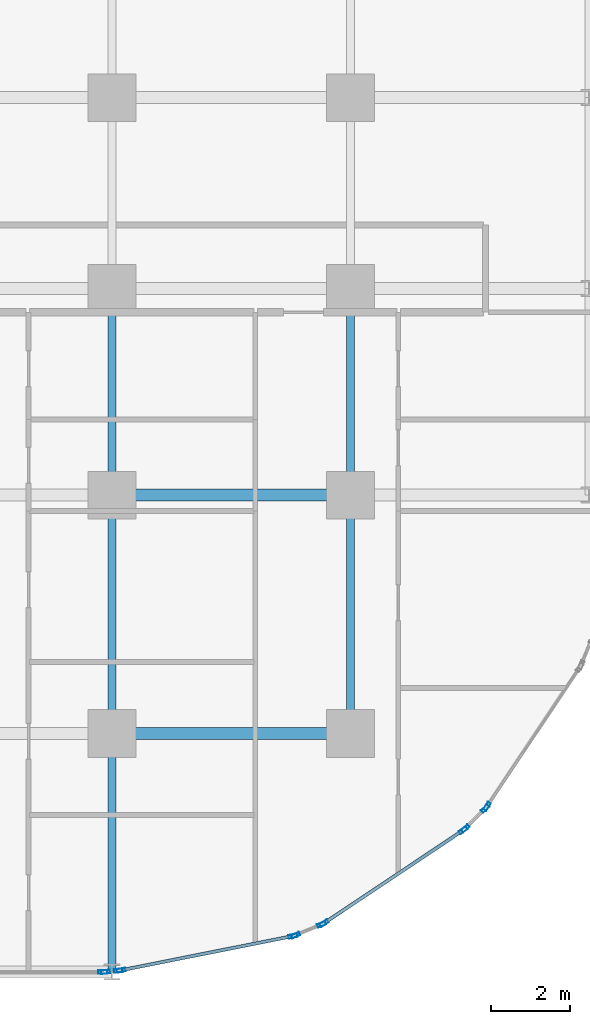
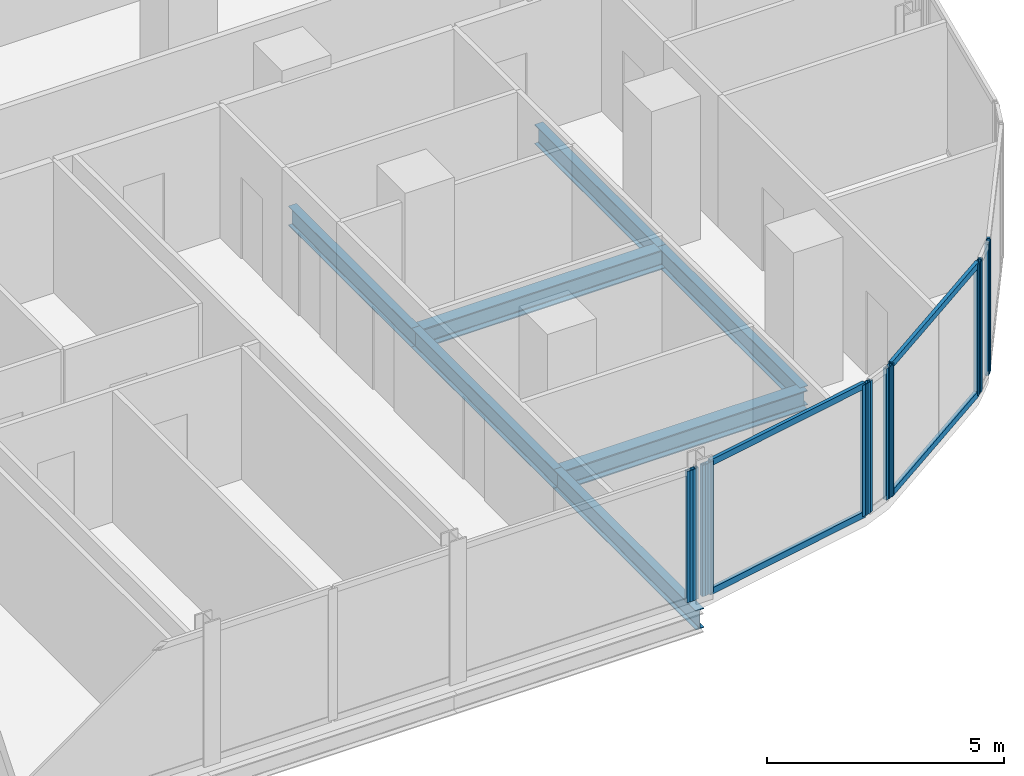
# One storey, part 10 of 33: 16 members, 7 beams, 7 elements without a shape of their own.
"""IFC4 building model written with IfcOpenShell, lengths in metres."""

from ifc_helpers import new_model, si_unit, direction, frame, origin, origin_2d, place, context, subcontext, project, spatial, hollow_rectangle, i_section, extrude, material, layer, layer_set, material_profile, profile_set, type_object, element, aggregate, save


model = new_model("IFC4")

# Units and contexts
model_context = context("Model", 3, precision=1e-05, world=origin(), true_north=direction((0.0, 1.0)))
body_context = subcontext(model_context, "Body", "Model", "MODEL_VIEW")
ifc_project = project(units=[si_unit("LENGTHUNIT", "METRE"), si_unit("AREAUNIT", "SQUARE_METRE"), si_unit("VOLUMEUNIT", "CUBIC_METRE"), si_unit("PLANEANGLEUNIT", "RADIAN"), si_unit("MASSUNIT", "GRAM", prefix="KILO")], contexts=[model_context])

# Site, building, storey
site_placement = place(None, origin())
site = spatial("IfcSite", under=ifc_project, at=site_placement, CompositionType="ELEMENT")
building_placement = place(site_placement, origin())
building = spatial("IfcBuilding", under=site, at=building_placement, Name="Keshet Zoharim Tower", CompositionType="ELEMENT")
storey_placement = place(building_placement, frame((0.0, 0.0, 73.800048828125)))
storey = spatial("IfcBuildingStorey", under=building, at=storey_placement, Name="L17", CompositionType="ELEMENT", Elevation=73.800048828125)

# Beams
ifc_material_1 = material(Name="Steel S355", Category="steel")
ifc_material_profile_1 = material_profile(ifc_material_1, i_section(OverallWidth=0.199951171875, OverallDepth=0.5, WebThickness=0.01025390625, FlangeThickness=0.01611328125, FilletRadius=0.02099609375, at=origin_2d()), Name="IPE500")
ifc_profile_set_1 = profile_set([ifc_material_profile_1], Name="Steel S355")
beam_type_1 = type_object("IfcBeamType", Name="BM-PRI-IP500", PredefinedType="BEAM", material=ifc_profile_set_1)
for number, where, z_axis, x_axis, name in (
    (1, (57.0, 0.699951171875, -0.56494140625), (0.0, 1.0, 0.0), (-1.0, 0.0, 0.0), "L17 Primary Girder Y-013"),
    (2, (57.0, 6.699951171875, -0.56494140625), (0.0, 1.0, 0.0), (-1.0, 0.0, 0.0), "L17 Primary Girder Y-014"),
):
    element("IfcBeam", number, at=place(storey_placement, frame(where, z_axis=z_axis, x_axis=x_axis)), inside=storey, type_object=beam_type_1, Name=name, PredefinedType="BEAM", context=body_context, shape_type="SweptSolid", body=[
        extrude(i_section(OverallWidth=0.199951171875, OverallDepth=0.5, WebThickness=0.01025390625, FlangeThickness=0.01611328125, FilletRadius=0.02099609375, at=origin_2d()), origin(), (0.0, 0.0, 1.0), 6.0),
    ])
beam_1_placement = place(storey_placement, frame((57.0, 12.699951171875, -0.56494140625), z_axis=(0.0, 1.0, 0.0), x_axis=(-1.0, 0.0, 0.0)))
element("IfcBeam", 3, at=beam_1_placement, inside=storey, type_object=beam_type_1, Name="L17 Primary Girder Y-015", PredefinedType="BEAM", context=body_context, shape_type="SweptSolid", body=[
    extrude(i_section(OverallWidth=0.199951171875, OverallDepth=0.5, WebThickness=0.01025390625, FlangeThickness=0.01611328125, FilletRadius=0.02099609375, at=origin_2d()), origin(), (0.0, 0.0, 1.0), 5.199951171875),
])
beam_2_placement = place(storey_placement, frame((63.0, 6.699951171875, -0.56494140625), z_axis=(0.0, 1.0, 0.0), x_axis=(-1.0, 0.0, 0.0)))
element("IfcBeam", 4, at=beam_2_placement, inside=storey, type_object=beam_type_1, Name="L17 Primary Girder Y-018", PredefinedType="BEAM", context=body_context, shape_type="SweptSolid", body=[
    extrude(i_section(OverallWidth=0.199951171875, OverallDepth=0.5, WebThickness=0.01025390625, FlangeThickness=0.01611328125, FilletRadius=0.02099609375, at=origin_2d()), origin(), (0.0, 0.0, 1.0), 6.0),
])
beam_3_placement = place(storey_placement, frame((63.0, 12.699951171875, -0.56494140625), z_axis=(0.0, 1.0, 0.0), x_axis=(-1.0, 0.0, 0.0)))
element("IfcBeam", 5, at=beam_3_placement, inside=storey, type_object=beam_type_1, Name="L17 Primary Girder Y-019", PredefinedType="BEAM", context=body_context, shape_type="SweptSolid", body=[
    extrude(i_section(OverallWidth=0.199951171875, OverallDepth=0.5, WebThickness=0.01025390625, FlangeThickness=0.01611328125, FilletRadius=0.02099609375, at=origin_2d()), origin(), (0.0, 0.0, 1.0), 5.199951171875),
])
ifc_material_profile_2 = material_profile(ifc_material_1, i_section(OverallWidth=0.300048828125, OverallDepth=0.5, WebThickness=0.014404296875, FlangeThickness=0.028076171875, FilletRadius=0.027099609375, at=origin_2d()), Name="HEB500")
ifc_profile_set_2 = profile_set([ifc_material_profile_2], Name="Steel S355")
beam_type_2 = type_object("IfcBeamType", Name="BM-WEB-HB500", PredefinedType="BEAM", material=ifc_profile_set_2)
for number, where, z_axis, x_axis, name in (
    (6, (57.0, 6.699951171875, -0.56494140625), (1.0, 0.0, 0.0), (0.0, 1.0, 0.0), "L17 Primary Girder X-010"),
    (7, (57.0, 12.699951171875, -0.56494140625), (1.0, 0.0, 0.0), (0.0, 1.0, 0.0), "L17 Primary Girder X-013"),
):
    element("IfcBeam", number, at=place(storey_placement, frame(where, z_axis=z_axis, x_axis=x_axis)), inside=storey, type_object=beam_type_2, Name=name, PredefinedType="BEAM", context=body_context, shape_type="SweptSolid", body=[
        extrude(i_section(OverallWidth=0.300048828125, OverallDepth=0.5, WebThickness=0.014404296875, FlangeThickness=0.028076171875, FilletRadius=0.027099609375, at=origin_2d()), origin(), (0.0, 0.0, 1.0), 6.0),
    ])

# Curtain wall, member
ifc_material_2 = material(Name="Aluminium 6063-T6", Category="aluminium")
ifc_layer = layer(ifc_material_2, 0.179931640625)
ifc_layer_set = layer_set([ifc_layer], Name="Aluminium 6063-T6")
curtain_wall_type = type_object("IfcCurtainWallType", Name="CW-SYS-01", PredefinedType="NOTDEFINED", material=ifc_layer_set)
curtain_wall_1_placement = place(storey_placement, origin())
curtain_wall_1 = element("IfcCurtainWall", 8, at=curtain_wall_1_placement, inside=storey, type_object=curtain_wall_type, Name="L17 Unitised Curtain Wall 20", PredefinedType="NOTDEFINED")
ifc_material_profile_3 = material_profile(ifc_material_2, hollow_rectangle(XDim=0.090087890625, YDim=0.219970703125, WallThickness=0.0048828125, at=origin_2d()), Name="MUL-90x220")
ifc_profile_set_3 = profile_set([ifc_material_profile_3], Name="Aluminium 6063-T6")
member_type_1 = type_object("IfcMemberType", Name="CWM-M22", PredefinedType="MULLION", material=ifc_profile_set_3)
member_1_placement = place(storey_placement, frame((66.432373046875, 4.8671875, 0.0), z_axis=(0.0, 0.0, 1.0), x_axis=(0.831474282335, -0.555563243758, 0.0)))
member_1 = element("IfcMember", 9, at=member_1_placement, type_object=member_type_1, Name="CW-01 mullion 2", PredefinedType="MULLION", context=body_context, shape_type="SweptSolid", body=[
    extrude(hollow_rectangle(XDim=0.090087890625, YDim=0.219970703125, WallThickness=0.0048828125, at=origin_2d()), origin(), (0.0, 0.0, 1.0), 3.385009765625),
])
aggregate(curtain_wall_1, [member_1])

# Curtain wall, members
curtain_wall_2_placement = place(storey_placement, origin())
curtain_wall_2 = element("IfcCurtainWall", 10, at=curtain_wall_2_placement, inside=storey, type_object=curtain_wall_type, Name="L17 Unitised Curtain Wall 21", PredefinedType="NOTDEFINED")
member_2_placement = place(storey_placement, frame((66.38818359375, 4.813232421875, 0.0), z_axis=(0.0, 0.0, 1.0), x_axis=(0.707106781187, -0.707106781187, 0.0)))
member_2 = element("IfcMember", 11, at=member_2_placement, type_object=member_type_1, Name="CW-01 mullion 1", PredefinedType="MULLION", context=body_context, shape_type="SweptSolid", body=[
    extrude(hollow_rectangle(XDim=0.090087890625, YDim=0.219970703125, WallThickness=0.0048828125, at=origin_2d()), origin(), (0.0, 0.0, 1.0), 3.385009765625),
])
member_3_placement = place(storey_placement, frame((65.88671875, 4.311767578125, 0.0), z_axis=(0.0, 0.0, 1.0), x_axis=(0.707106781187, -0.707106781187, 0.0)))
member_3 = element("IfcMember", 12, at=member_3_placement, type_object=member_type_1, Name="CW-01 mullion 2", PredefinedType="MULLION", context=body_context, shape_type="SweptSolid", body=[
    extrude(hollow_rectangle(XDim=0.090087890625, YDim=0.219970703125, WallThickness=0.0048828125, at=origin_2d()), origin(), (0.0, 0.0, 1.0), 3.385009765625),
])
aggregate(curtain_wall_2, [member_2, member_3])

curtain_wall_3_placement = place(storey_placement, origin())
curtain_wall_3 = element("IfcCurtainWall", 13, at=curtain_wall_3_placement, inside=storey, type_object=curtain_wall_type, Name="L17 Unitised Curtain Wall 22", PredefinedType="NOTDEFINED")
member_4_placement = place(storey_placement, frame((65.8330078125, 4.267578125, 0.0), z_axis=(0.0, 0.0, 1.0), x_axis=(0.555563243758, -0.831474282335, 0.0)))
member_4 = element("IfcMember", 14, at=member_4_placement, type_object=member_type_1, Name="CW-01 mullion 1", PredefinedType="MULLION", context=body_context, shape_type="SweptSolid", body=[
    extrude(hollow_rectangle(XDim=0.090087890625, YDim=0.219970703125, WallThickness=0.0048828125, at=origin_2d()), origin(), (0.0, 0.0, 1.0), 3.385009765625),
])
member_5_placement = place(storey_placement, frame((62.335205078125, 1.930419921875, 0.0), z_axis=(0.0, 0.0, 1.0), x_axis=(0.555563243758, -0.831474282335, 0.0)))
member_5 = element("IfcMember", 15, at=member_5_placement, type_object=member_type_1, Name="CW-01 mullion 2", PredefinedType="MULLION", context=body_context, shape_type="SweptSolid", body=[
    extrude(hollow_rectangle(XDim=0.090087890625, YDim=0.219970703125, WallThickness=0.0048828125, at=origin_2d()), origin(), (0.0, 0.0, 1.0), 3.385009765625),
])

curtain_wall_4_placement = place(storey_placement, origin())
curtain_wall_4 = element("IfcCurtainWall", 16, at=curtain_wall_4_placement, inside=storey, type_object=curtain_wall_type, Name="L17 Unitised Curtain Wall 23", PredefinedType="NOTDEFINED")
member_6_placement = place(storey_placement, frame((62.273681640625, 1.897705078125, 0.0), z_axis=(0.0, 0.0, 1.0), x_axis=(0.383068349739, -0.923720000557, 0.0)))
member_6 = element("IfcMember", 17, at=member_6_placement, type_object=member_type_1, Name="CW-01 mullion 1", PredefinedType="MULLION", context=body_context, shape_type="SweptSolid", body=[
    extrude(hollow_rectangle(XDim=0.090087890625, YDim=0.219970703125, WallThickness=0.0048828125, at=origin_2d()), origin(), (0.0, 0.0, 1.0), 3.385009765625),
])
member_7_placement = place(storey_placement, frame((61.617431640625, 1.62548828125, 0.0), z_axis=(0.0, 0.0, 1.0), x_axis=(0.383068349739, -0.923720000557, 0.0)))
member_7 = element("IfcMember", 18, at=member_7_placement, type_object=member_type_1, Name="CW-01 mullion 2", PredefinedType="MULLION", context=body_context, shape_type="SweptSolid", body=[
    extrude(hollow_rectangle(XDim=0.090087890625, YDim=0.219970703125, WallThickness=0.0048828125, at=origin_2d()), origin(), (0.0, 0.0, 1.0), 3.385009765625),
])
aggregate(curtain_wall_4, [member_6, member_7])

curtain_wall_5_placement = place(storey_placement, origin())
curtain_wall_5 = element("IfcCurtainWall", 19, at=curtain_wall_5_placement, inside=storey, type_object=curtain_wall_type, Name="L17 Unitised Curtain Wall 24", PredefinedType="NOTDEFINED")
member_8_placement = place(storey_placement, frame((61.55078125, 1.605224609375, 0.0), z_axis=(0.0, 0.0, 1.0), x_axis=(0.195171279072, -0.98076917357, 0.0)))
member_8 = element("IfcMember", 20, at=member_8_placement, type_object=member_type_1, Name="CW-01 mullion 1", PredefinedType="MULLION", context=body_context, shape_type="SweptSolid", body=[
    extrude(hollow_rectangle(XDim=0.090087890625, YDim=0.219970703125, WallThickness=0.0048828125, at=origin_2d()), origin(), (0.0, 0.0, 1.0), 3.385009765625),
])
member_9_placement = place(storey_placement, frame((57.227294921875, 0.744873046875, 0.0), z_axis=(0.0, 0.0, 1.0), x_axis=(0.195171279072, -0.98076917357, 0.0)))
member_9 = element("IfcMember", 21, at=member_9_placement, type_object=member_type_1, Name="CW-01 mullion 2", PredefinedType="MULLION", context=body_context, shape_type="SweptSolid", body=[
    extrude(hollow_rectangle(XDim=0.090087890625, YDim=0.219970703125, WallThickness=0.0048828125, at=origin_2d()), origin(), (0.0, 0.0, 1.0), 3.385009765625),
])

curtain_wall_6_placement = place(storey_placement, origin())
curtain_wall_6 = element("IfcCurtainWall", 22, at=curtain_wall_6_placement, inside=storey, type_object=curtain_wall_type, Name="L17 Unitised Curtain Wall 25", PredefinedType="NOTDEFINED")
member_10_placement = place(storey_placement, frame((57.158203125, 0.734619140625, 0.0), z_axis=(0.0, 0.0, 1.0), x_axis=(0.096976648633, -0.995286657009, 0.0)))
member_10 = element("IfcMember", 23, at=member_10_placement, type_object=member_type_1, Name="CW-01 mullion 1", PredefinedType="MULLION", context=body_context, shape_type="SweptSolid", body=[
    extrude(hollow_rectangle(XDim=0.090087890625, YDim=0.219970703125, WallThickness=0.0048828125, at=origin_2d()), origin(), (0.0, 0.0, 1.0), 3.385009765625),
])
member_11_placement = place(storey_placement, frame((56.837890625, 0.703369140625, 0.0), z_axis=(0.0, 0.0, 1.0), x_axis=(0.096976648633, -0.995286657009, 0.0)))
member_11 = element("IfcMember", 24, at=member_11_placement, type_object=member_type_1, Name="CW-01 mullion 2", PredefinedType="MULLION", context=body_context, shape_type="SweptSolid", body=[
    extrude(hollow_rectangle(XDim=0.090087890625, YDim=0.219970703125, WallThickness=0.0048828125, at=origin_2d()), origin(), (0.0, 0.0, 1.0), 3.385009765625),
])
aggregate(curtain_wall_6, [member_10, member_11])

# Curtain wall, member
curtain_wall_7_placement = place(storey_placement, origin())
curtain_wall_7 = element("IfcCurtainWall", 25, at=curtain_wall_7_placement, inside=storey, type_object=curtain_wall_type, Name="L17 Unitised Curtain Wall 26", PredefinedType="NOTDEFINED")
member_12_placement = place(storey_placement, frame((56.76806640625, 0.699951171875, 0.0), z_axis=(0.0, 0.0, 1.0), x_axis=(0.0, -1.0, 0.0)))
member_12 = element("IfcMember", 26, at=member_12_placement, type_object=member_type_1, Name="CW-01 mullion 1", PredefinedType="MULLION", context=body_context, shape_type="SweptSolid", body=[
    extrude(hollow_rectangle(XDim=0.090087890625, YDim=0.219970703125, WallThickness=0.0048828125, at=origin_2d()), origin(), (0.0, 0.0, 1.0), 3.385009765625),
])
aggregate(curtain_wall_7, [member_12])

# Member
ifc_material_profile_4 = material_profile(ifc_material_2, hollow_rectangle(XDim=0.0849609375, YDim=0.159912109375, WallThickness=0.00439453125, at=origin_2d()), Name="TRN-85x160")
ifc_profile_set_4 = profile_set([ifc_material_profile_4], Name="Aluminium 6063-T6")
member_type_2 = type_object("IfcMemberType", Name="CWT-T16", PredefinedType="USERDEFINED", material=ifc_profile_set_4)
member_13_placement = place(storey_placement, frame((65.8037109375, 4.248046875, 0.034912109375), z_axis=(-0.831477809106, -0.55555796544, 0.0), x_axis=(0.55555796544, -0.831477809106, 0.0)))
member_13 = element("IfcMember", 27, at=member_13_placement, type_object=member_type_2, Name="CW-01 transom 1.1", ObjectType="TRANSOM", PredefinedType="USERDEFINED", context=body_context, shape_type="SweptSolid", body=[
    extrude(hollow_rectangle(XDim=0.0849609375, YDim=0.159912109375, WallThickness=0.00439453125, at=origin_2d()), origin(), (0.0, 0.0, 1.0), 4.136474609375),
])

member_14_placement = place(storey_placement, frame((65.8037109375, 4.248046875, 3.349853515625), z_axis=(-0.831477809106, -0.55555796544, 0.0), x_axis=(0.55555796544, -0.831477809106, 0.0)))
member_14 = element("IfcMember", 28, at=member_14_placement, type_object=member_type_2, Name="CW-01 transom 1.2", ObjectType="TRANSOM", PredefinedType="USERDEFINED", context=body_context, shape_type="SweptSolid", body=[
    extrude(hollow_rectangle(XDim=0.0849609375, YDim=0.159912109375, WallThickness=0.00439453125, at=origin_2d()), origin(), (0.0, 0.0, 1.0), 4.136474609375),
])

aggregate(curtain_wall_3, [member_4, member_5, member_13, member_14])

member_15_placement = place(storey_placement, frame((61.516357421875, 1.598388671875, 0.034912109375), z_axis=(-0.980768540739, -0.195174459131, 0.0), x_axis=(0.195174459131, -0.980768540739, 0.0)))
member_15 = element("IfcMember", 29, at=member_15_placement, type_object=member_type_2, Name="CW-01 transom 1.1", ObjectType="TRANSOM", PredefinedType="USERDEFINED", context=body_context, shape_type="SweptSolid", body=[
    extrude(hollow_rectangle(XDim=0.0849609375, YDim=0.159912109375, WallThickness=0.00439453125, at=origin_2d()), origin(), (0.0, 0.0, 1.0), 4.338134765625),
])

member_16_placement = place(storey_placement, frame((61.516357421875, 1.598388671875, 3.349853515625), z_axis=(-0.980768540739, -0.195174459131, 0.0), x_axis=(0.195174459131, -0.980768540739, 0.0)))
member_16 = element("IfcMember", 30, at=member_16_placement, type_object=member_type_2, Name="CW-01 transom 1.2", ObjectType="TRANSOM", PredefinedType="USERDEFINED", context=body_context, shape_type="SweptSolid", body=[
    extrude(hollow_rectangle(XDim=0.0849609375, YDim=0.159912109375, WallThickness=0.00439453125, at=origin_2d()), origin(), (0.0, 0.0, 1.0), 4.338134765625),
])

aggregate(curtain_wall_5, [member_8, member_9, member_15, member_16])

save(model, "model.ifc")
